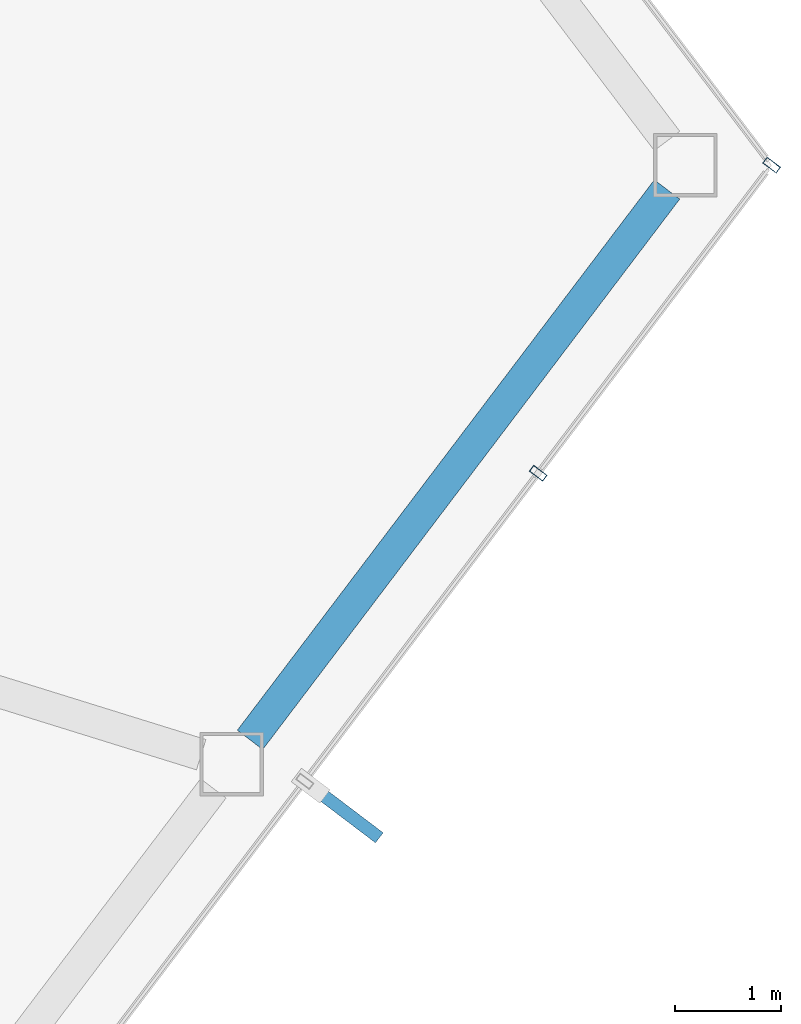
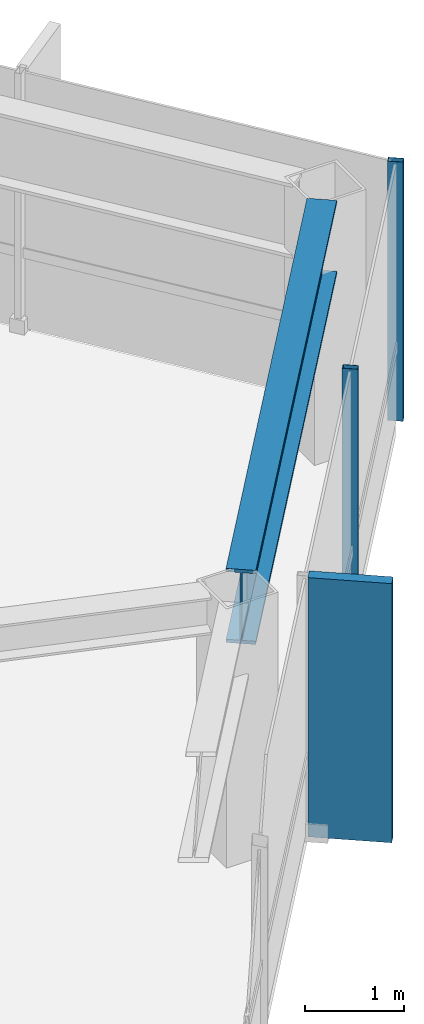
# One storey, part 20 of 27: 3 members, 1 beam, 1 element without a shape of its own.
"""IFC4 building model written with IfcOpenShell, lengths in metres."""

import ifcopenshell
import ifcopenshell.guid

model = None  # the IFC model being written
_history = None  # IfcOwnerHistory: only IFC2X3 demands one
_inside = {}  # id of a spatial element -> (the spatial element, [elements in it])
_under = {}  # id of a project, library or spatial element -> (it, [spatial elements below it])
_declared = {}  # id of a project -> (the project, [libraries it declares])
_typed = {}  # id of a type object -> (the type object, [elements of that type])
_made_of = {}  # id of a material, layer set ... -> (it, [elements and type objects made of it])


def new_model(schema):
    """Start an empty IFC model of exactly this schema.

    Asked for "IFC4X3", IfcOpenShell would pick the latest addendum, in which some entities
    have other attributes; the version numbers below select the first issue.
    IFC2X3 requires an IfcOwnerHistory on every rooted entity: one is made here for all.
    """
    global model, _history
    if schema == "IFC4X3":
        model = ifcopenshell.file(schema_version=(4, 3, 0, 0))
    else:
        model = ifcopenshell.file(schema=schema)
    _inside.clear()
    _under.clear()
    _declared.clear()
    _typed.clear()
    _made_of.clear()
    _history = None
    if model.schema == "IFC2X3":
        org = make("IfcOrganization", Name="unknown")
        user = make(
            "IfcPersonAndOrganization",
            ThePerson=make("IfcPerson", FamilyName="unknown"),
            TheOrganization=org,
        )
        app = make(
            "IfcApplication",
            ApplicationDeveloper=org,
            Version="unknown",
            ApplicationFullName="unknown",
            ApplicationIdentifier="unknown",
        )
        _history = make(
            "IfcOwnerHistory",
            OwningUser=user,
            OwningApplication=app,
            ChangeAction="ADDED",
            CreationDate=0,
        )
    return model


def make(cls, **values):
    """One entity of the class cls with the attributes given. An attribute that is None is left unset."""
    return model.create_entity(
        cls, **{name: value for name, value in values.items() if value is not None}
    )


def rooted(cls, **values):
    """An entity with a GlobalId (a new one), such as an element, a storey or a relation."""
    return make(cls, GlobalId=ifcopenshell.guid.new(), OwnerHistory=_history, **values)


def si_unit(unit_type, name, prefix=None):
    """IfcSIUnit, for example si_unit("LENGTHUNIT", "METRE", prefix="MILLI")."""
    return make("IfcSIUnit", UnitType=unit_type, Prefix=prefix, Name=name)


def assignment(units):
    """IfcUnitAssignment: the units of a project."""
    return None if units is None else make("IfcUnitAssignment", Units=units)


def point(xyz):
    """IfcCartesianPoint."""
    return None if xyz is None else make("IfcCartesianPoint", Coordinates=xyz)


def direction(xyz):
    """IfcDirection."""
    return None if xyz is None else make("IfcDirection", DirectionRatios=xyz)


def frame(location, z_axis=None, x_axis=None):
    """IfcAxis2Placement3D, a coordinate frame: its origin and axes. An axis left out is left unset."""
    return make(
        "IfcAxis2Placement3D",
        Location=point(location),
        Axis=direction(z_axis),
        RefDirection=direction(x_axis),
    )


def frame_2d(location, x_axis=None):
    """IfcAxis2Placement2D, a coordinate frame in the plane: its origin and x axis."""
    return make(
        "IfcAxis2Placement2D", Location=point(location), RefDirection=direction(x_axis)
    )


def origin():
    """The frame at (0, 0, 0) with its axes left unset."""
    return frame((0.0, 0.0, 0.0))


def origin_2d():
    """The frame at (0, 0) in the plane with its x axis left unset."""
    return frame_2d((0.0, 0.0))


def place(relative_to, where):
    """IfcLocalPlacement: puts the frame where relative to a parent placement (None: the world)."""
    return make(
        "IfcLocalPlacement", PlacementRelTo=relative_to, RelativePlacement=where
    )


def context(
    kind, dimensions, precision=None, world=None, true_north=None, identifier=None
):
    """IfcGeometricRepresentationContext, for example the 3D "Model" context."""
    return make(
        "IfcGeometricRepresentationContext",
        ContextIdentifier=identifier,
        ContextType=kind,
        CoordinateSpaceDimension=dimensions,
        Precision=precision,
        WorldCoordinateSystem=world,
        TrueNorth=true_north,
    )


def subcontext(parent, identifier, kind, view, scale=None):
    """IfcGeometricRepresentationSubContext, for example "Body" below "Model"."""
    return make(
        "IfcGeometricRepresentationSubContext",
        ContextIdentifier=identifier,
        ContextType=kind,
        ParentContext=parent,
        TargetScale=scale,
        TargetView=view,
    )


def project(units=None, contexts=None):
    """IfcProject with its units and contexts."""
    return rooted(
        "IfcProject",
        Name="project",
        RepresentationContexts=contexts,
        UnitsInContext=assignment(units),
    )


def spatial(cls, under=None, at=None, **own):
    """A site, building, storey or space (cls), placed at a placement, below another one or the project."""
    s = rooted(cls, ObjectPlacement=at, **own)
    if under is not None:
        _under.setdefault(under.id(), (under, []))[1].append(s)
    return s


def profile(cls, at=None, kind="AREA", **sizes):
    """A parametric profile (cls). Its sizes go by their IFC names, for example OverallWidth=200.0."""
    return make(cls, ProfileType=kind, Position=at, **sizes)


def rectangle(**sizes):
    """IfcRectangleProfileDef."""
    return profile("IfcRectangleProfileDef", **sizes)


def hollow_rectangle(**sizes):
    """IfcRectangleHollowProfileDef."""
    return profile("IfcRectangleHollowProfileDef", **sizes)


def i_section(**sizes):
    """IfcIShapeProfileDef."""
    return profile("IfcIShapeProfileDef", **sizes)


def extrude(swept, where, along, depth):
    """IfcExtrudedAreaSolid: the profile swept, set in the frame where, extruded along a direction by depth."""
    return make(
        "IfcExtrudedAreaSolid",
        SweptArea=swept,
        Position=where,
        ExtrudedDirection=direction(along),
        Depth=depth,
    )


def shape(context_of_items, identifier, shape_type, items):
    """IfcShapeRepresentation: the items that make up one representation, for example the "Body"."""
    return make(
        "IfcShapeRepresentation",
        ContextOfItems=context_of_items,
        RepresentationIdentifier=identifier,
        RepresentationType=shape_type,
        Items=items,
    )


def material(Name=None, Category=None):
    """IfcMaterial."""
    return make("IfcMaterial", Name=Name, Category=Category)


def layer(
    of_material, thickness, ventilated=None, Name=None, Category=None, Priority=None
):
    """IfcMaterialLayer: one layer of a wall or slab, of a material (None: an air gap)."""
    return make(
        "IfcMaterialLayer",
        Material=of_material,
        LayerThickness=thickness,
        IsVentilated=ventilated,
        Name=Name,
        Category=Category,
        Priority=Priority,
    )


def layer_set(layers, Name=None):
    """IfcMaterialLayerSet."""
    return make("IfcMaterialLayerSet", MaterialLayers=layers, LayerSetName=Name)


def material_profile(
    of_material, cross_section, Name=None, Category=None, Priority=None
):
    """IfcMaterialProfile: a cross section and its material."""
    return make(
        "IfcMaterialProfile",
        Name=Name,
        Material=of_material,
        Profile=cross_section,
        Priority=Priority,
        Category=Category,
    )


def profile_set(profiles, Name=None, composite=None):
    """IfcMaterialProfileSet."""
    return make(
        "IfcMaterialProfileSet",
        Name=Name,
        MaterialProfiles=profiles,
        CompositeProfile=composite,
    )


def made_of(thing, what):
    """Note that an element or type object is made of a material, layer set ...; save() writes the relation."""
    if what is not None:
        _made_of.setdefault(what.id(), (what, []))[1].append(thing)
    return thing


def type_object(cls, material=None, **own):
    """A type object (cls), such as IfcWallType, which elements share."""
    return made_of(rooted(cls, **own), material)


def element(
    cls,
    number,
    at=None,
    inside=None,
    cuts=None,
    type_object=None,
    material=None,
    context=None,
    identifier="Body",
    shape_type=None,
    held_by="IfcProductDefinitionShape",
    body=None,
    shapes=None,
    **own,
):
    """One element of the class cls, such as IfcWall. Its Tag is "e" and its number.

    at: its placement. inside: the storey or other place that contains it. cuts: it is an
    opening in that element (IfcRelVoidsElement). A single representation is given by context,
    identifier, shape_type and body (its items); several are given by shapes. held_by: the class
    of the entity that holds the representations. save() writes the other relations.
    """
    e = rooted(cls, Tag="e%d" % number, ObjectPlacement=at, **own)
    if body is not None:
        shapes = [shape(context, identifier, shape_type, body)]
    if shapes is not None:
        e.Representation = make(held_by, Representations=shapes)
    if inside is not None:
        _inside.setdefault(inside.id(), (inside, []))[1].append(e)
    if cuts is not None:
        rooted(
            "IfcRelVoidsElement", RelatingBuildingElement=cuts, RelatedOpeningElement=e
        )
    if type_object is not None:
        _typed.setdefault(type_object.id(), (type_object, []))[1].append(e)
    return made_of(e, material)


def aggregate(whole, parts):
    """IfcRelAggregates: a whole, such as a stair, and the parts it consists of."""
    return rooted("IfcRelAggregates", RelatingObject=whole, RelatedObjects=parts)


def save(model, path):
    """Write the relations noted so far, then the file.

    IfcRelAggregates (storeys below a building ...), IfcRelContainedInSpatialStructure (elements
    in a storey), IfcRelDefinesByType, IfcRelAssociatesMaterial and IfcRelDeclares: one each for
    every whole, place, type object, material and project.
    """
    for whole, parts in _under.values():
        aggregate(whole, parts)
    for where, things in _inside.values():
        rooted(
            "IfcRelContainedInSpatialStructure",
            RelatedElements=things,
            RelatingStructure=where,
        )
    for kind, things in _typed.values():
        rooted("IfcRelDefinesByType", RelatedObjects=things, RelatingType=kind)
    for what, things in _made_of.values():
        rooted("IfcRelAssociatesMaterial", RelatedObjects=things, RelatingMaterial=what)
    for by, libraries in _declared.values():
        rooted("IfcRelDeclares", RelatingContext=by, RelatedDefinitions=libraries)
    model.write(path)


model = new_model("IFC4")

# Units and contexts
model_context = context("Model", 3, precision=1e-05, world=origin(), true_north=direction((0.0, 1.0)))
body_context = subcontext(model_context, "Body", "Model", "MODEL_VIEW")
ifc_project = project(units=[si_unit("LENGTHUNIT", "METRE"), si_unit("AREAUNIT", "SQUARE_METRE"), si_unit("VOLUMEUNIT", "CUBIC_METRE"), si_unit("PLANEANGLEUNIT", "RADIAN"), si_unit("MASSUNIT", "GRAM", prefix="KILO")], contexts=[model_context])

# Site, building, storey
site_placement = place(None, origin())
site = spatial("IfcSite", under=ifc_project, at=site_placement, CompositionType="ELEMENT")
building_placement = place(site_placement, origin())
building = spatial("IfcBuilding", under=site, at=building_placement, Name="Zarrinselat Tower", CompositionType="ELEMENT")
storey_placement = place(building_placement, frame((0.0, 0.0, 229.159912109375)))
storey = spatial("IfcBuildingStorey", under=building, at=storey_placement, Name="L57", CompositionType="ELEMENT", Elevation=229.159912109375)

# Beam
ifc_material_1 = material(Name="Steel S460M", Category="steel")
ifc_material_profile_1 = material_profile(ifc_material_1, i_section(OverallWidth=0.302001953125, OverallDepth=0.909912109375, WebThickness=0.02099609375, FlangeThickness=0.0400390625, at=origin_2d()), Name="HEM 900")
ifc_profile_set_1 = profile_set([ifc_material_profile_1], Name="Steel S460M")
beam_type = type_object("IfcBeamType", Name="BM-HEM900", PredefinedType="BEAM", material=ifc_profile_set_1)
beam_placement = place(storey_placement, frame((56.91552734375, 36.221435546875, 2.72509765625), z_axis=(0.603889329004, 0.797068176704, 0.0), x_axis=(-0.797068176704, 0.603889329004, 0.0)))
element("IfcBeam", 1, at=beam_placement, inside=storey, type_object=beam_type, Name="L57 Perimeter Spandrel Girder SP14", PredefinedType="BEAM", context=body_context, shape_type="SweptSolid", body=[
    extrude(i_section(OverallWidth=0.302001953125, OverallDepth=0.909912109375, WebThickness=0.02099609375, FlangeThickness=0.0400390625, at=origin_2d()), origin(), (0.0, 0.0, 1.0), 6.536376953125),
])

# Curtain wall, members
ifc_material_2 = material(Name="Extruded Aluminium Alloy EN AW-6063 T6", Category="aluminium")
ifc_layer = layer(ifc_material_2, 0.169921875)
ifc_layer_set = layer_set([ifc_layer], Name="Extruded Aluminium Alloy EN AW-6063 T6")
curtain_wall_type = type_object("IfcCurtainWallType", Name="CWS-RES", PredefinedType="NOTDEFINED", material=ifc_layer_set)
curtain_wall_placement = place(storey_placement, origin())
curtain_wall = element("IfcCurtainWall", 2, at=curtain_wall_placement, inside=storey, type_object=curtain_wall_type, Name="L57 Unitised Curtain Wall CW-L57-E05", PredefinedType="NOTDEFINED")
ifc_material_3 = material(Name="Extruded Aluminium Alloy EN AW-6063 T6", Category="aluminium")
ifc_material_profile_2 = material_profile(ifc_material_3, hollow_rectangle(XDim=0.070068359375, YDim=0.159912109375, WallThickness=0.00390625, at=origin_2d()), Name="RHS 160x70x4")
ifc_profile_set_2 = profile_set([ifc_material_profile_2], Name="Extruded Aluminium Alloy EN AW-6063 T6")
member_type_1 = type_object("IfcMemberType", Name="MEM-CW-MUL2", PredefinedType="MULLION", material=ifc_profile_set_2)
member_1_placement = place(storey_placement, frame((59.64306640625, 38.7451171875, 0.0), z_axis=(0.0, 0.0, 1.0), x_axis=(0.603858872188, 0.797091251037, 0.0)))
member_1 = element("IfcMember", 3, at=member_1_placement, type_object=member_type_1, Name="CW-L57-E05 Mullion 8", PredefinedType="MULLION", context=body_context, shape_type="SweptSolid", body=[
    extrude(hollow_rectangle(XDim=0.070068359375, YDim=0.159912109375, WallThickness=0.00390625, at=origin_2d()), origin(), (0.0, 0.0, 1.0), 3.18017578125),
])
member_2_placement = place(storey_placement, frame((61.85205078125, 41.6611328125, 0.0), z_axis=(0.0, 0.0, 1.0), x_axis=(0.603858872188, 0.797091251037, 0.0)))
member_2 = element("IfcMember", 4, at=member_2_placement, type_object=member_type_1, Name="CW-L57-E05 Mullion 9", PredefinedType="MULLION", context=body_context, shape_type="SweptSolid", body=[
    extrude(hollow_rectangle(XDim=0.070068359375, YDim=0.159912109375, WallThickness=0.00390625, at=origin_2d()), origin(), (0.0, 0.0, 1.0), 3.18017578125),
])
ifc_material_4 = material(Name="Honed Cream Travertine Stone", Category="masonry")
ifc_material_profile_3 = material_profile(ifc_material_4, rectangle(XDim=0.1201171875, YDim=0.85009765625, at=origin_2d()), Name="FIN 850x120")
ifc_profile_set_3 = profile_set([ifc_material_profile_3], Name="Honed Cream Travertine Stone")
member_type_2 = type_object("IfcMemberType", Name="MEM-STONE-FIN", PredefinedType="USERDEFINED", material=ifc_profile_set_3)
member_3_placement = place(storey_placement, frame((57.80078125, 35.551513671875, 0.0), z_axis=(0.0, 0.0, 1.0), x_axis=(-0.603858872188, -0.797091251037, 0.0)))
member_3 = element("IfcMember", 5, at=member_3_placement, type_object=member_type_2, Name="L57 Stone Shading Fin CW-L57-E05-07", ObjectType="FIN", PredefinedType="USERDEFINED", context=body_context, shape_type="SweptSolid", body=[
    extrude(rectangle(XDim=0.1201171875, YDim=0.85009765625, at=origin_2d()), origin(), (0.0, 0.0, 1.0), 3.18017578125),
])
aggregate(curtain_wall, [member_3, member_1, member_2])

save(model, "model.ifc")
